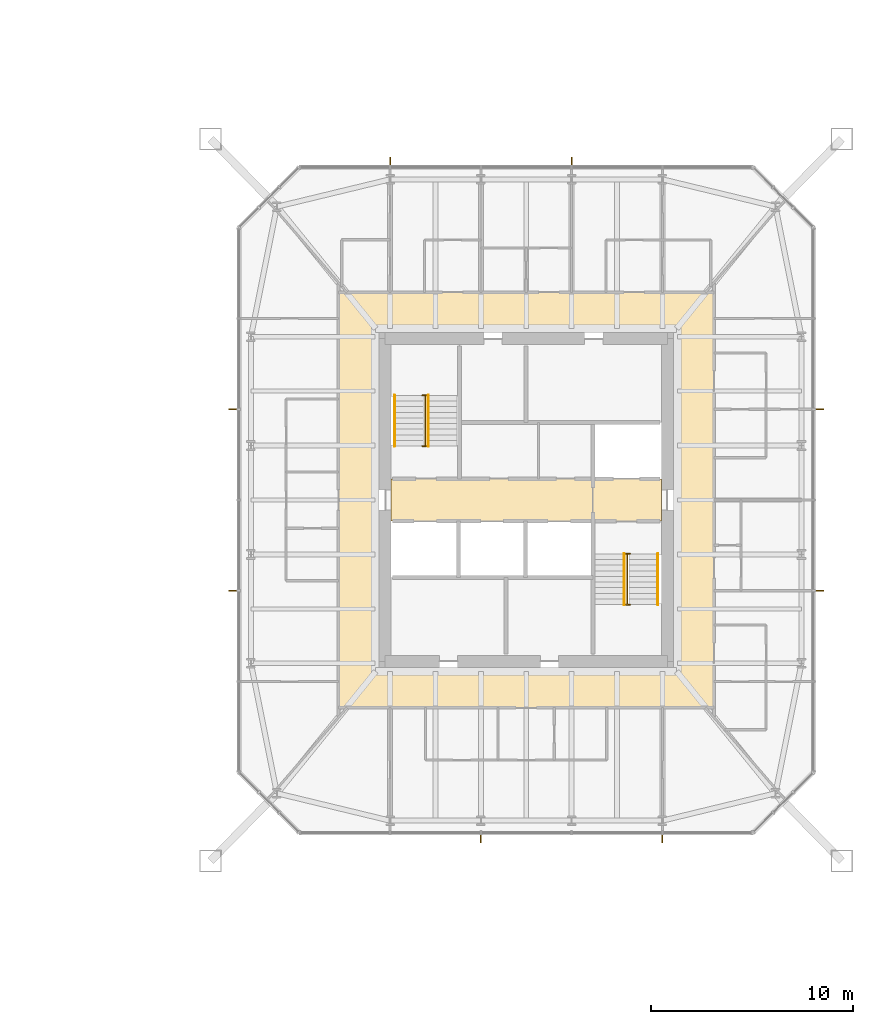
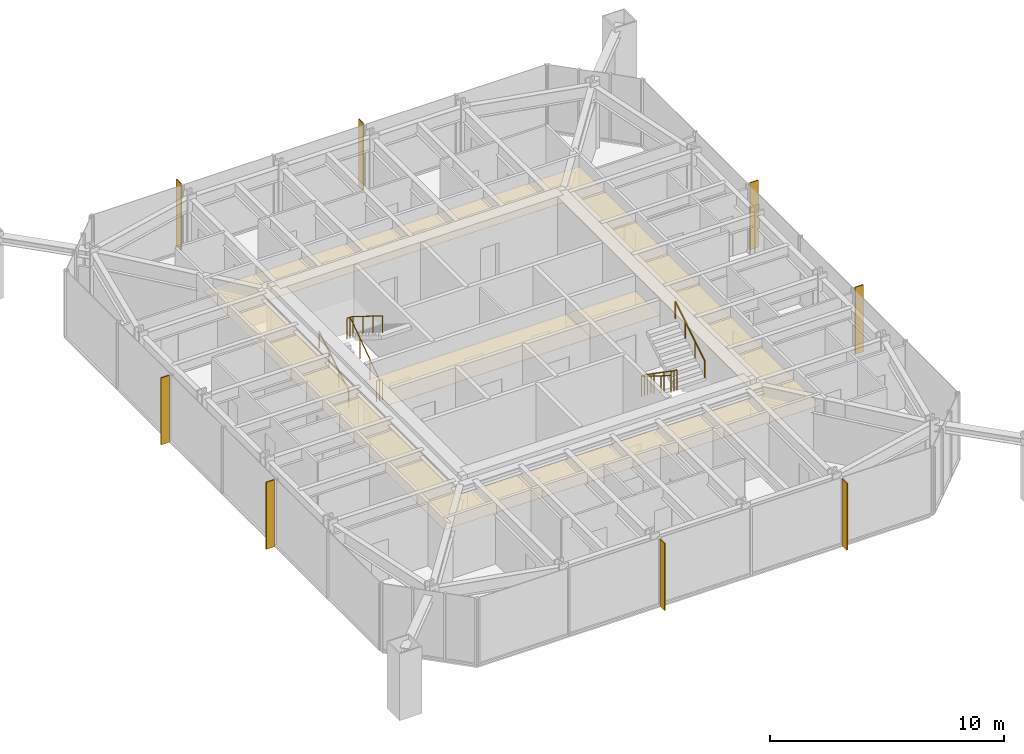
# One storey, part 27 of 27: 8 shading devices, 6 railings, 3 coverings.
"""IFC4 building model written with IfcOpenShell, lengths in metres."""

from ifc_helpers import new_model, si_unit, direction, frame, origin, origin_2d, place, context, subcontext, project, spatial, polyline, rectangle, circle, outline, extrude, material, layer, layer_set, constituent, constituent_set, type_object, element, save


model = new_model("IFC4")

# Units and contexts
model_context = context("Model", 3, precision=1e-05, world=origin(), true_north=direction((0.0, 1.0)))
body_context = subcontext(model_context, "Body", "Model", "MODEL_VIEW")
ifc_project = project(units=[si_unit("LENGTHUNIT", "METRE"), si_unit("AREAUNIT", "SQUARE_METRE"), si_unit("VOLUMEUNIT", "CUBIC_METRE"), si_unit("PLANEANGLEUNIT", "RADIAN"), si_unit("MASSUNIT", "GRAM", prefix="KILO")], contexts=[model_context])

# Site, building, storey
site_placement = place(None, origin())
site = spatial("IfcSite", under=ifc_project, at=site_placement, CompositionType="ELEMENT")
building_placement = place(site_placement, origin())
building = spatial("IfcBuilding", under=site, at=building_placement, Name="Iwan Alto Co-Living Towers", CompositionType="ELEMENT")
storey_placement = place(building_placement, frame((0.0, 0.0, 91.0)))
storey = spatial("IfcBuildingStorey", under=building, at=storey_placement, Name="L24", CompositionType="ELEMENT", Elevation=91.0)

# Coverings
ifc_material_1 = material(Name="Mineral fibre acoustic tiles on steel grid", Category="steel")
ifc_layer_1 = layer(ifc_material_1, 0.02001953125)
ifc_layer_set_1 = layer_set([ifc_layer_1], Name="ACOUSTIC TILE CEILING 20")
covering_type_1 = type_object("IfcCoveringType", Name="ACOUSTIC TILE CEILING 20", PredefinedType="CEILING", material=ifc_layer_set_1)
covering_1_placement = place(storey_placement, frame((0.0, 0.0, 2.60009765625)))
element("IfcCovering", 1, at=covering_1_placement, inside=storey, type_object=covering_type_1, Name="Ceiling Lift lobby L24", PredefinedType="CEILING", context=body_context, shape_type="SweptSolid", body=[
    extrude(outline(polyline([(56.300048828125, -1.050048828125), (56.300048828125, 1.050048828125), (66.300048828125, 1.050048828125), (66.300048828125, -1.050048828125), (56.300048828125, -1.050048828125)])), origin(), (0.0, 0.0, 1.0), 0.02001953125),
])
covering_2_placement = place(storey_placement, frame((0.0, 0.0, 2.60009765625)))
element("IfcCovering", 2, at=covering_2_placement, inside=storey, type_object=covering_type_1, Name="Ceiling Firefighting lobby L24", PredefinedType="CEILING", context=body_context, shape_type="SweptSolid", body=[
    extrude(outline(polyline([(66.300048828125, -1.050048828125), (66.300048828125, 1.050048828125), (69.699951171875, 1.050048828125), (69.699951171875, -1.050048828125), (66.300048828125, -1.050048828125)])), origin(), (0.0, 0.0, 1.0), 0.02001953125),
])

# Shading devices
ifc_material_2 = material(Name="Aluminium 6063-T6 bronze anodised", Category="aluminium")
ifc_layer_2 = layer(ifc_material_2, 0.050048828125)
ifc_layer_set_2 = layer_set([ifc_layer_2], Name="BRONZE FIN 50X400")
shading_device_type = type_object("IfcShadingDeviceType", Name="BRONZE FIN 50X400", PredefinedType="USERDEFINED", material=ifc_layer_set_2)
for number, where, z_axis, x_axis, name in (
    (3, (60.75, -16.800048828125, 0.0), (0.0, 0.0, 1.0), (1.0, 0.0, 0.0), "Bronze fin L24"),
    (4, (69.75, -16.800048828125, 0.0), (0.0, 0.0, 1.0), (1.0, 0.0, 0.0), "Bronze fin L24"),
    (5, (77.550048828125, -4.5, 0.0), (0.0, 0.0, 1.0), (0.0, 1.0, 0.0), "Bronze fin L24"),
    (6, (77.550048828125, 4.5, 0.0), (0.0, 0.0, 1.0), (0.0, 1.0, 0.0), "Bronze fin L24"),
    (7, (65.25, 16.800048828125, 0.0), (0.0, 0.0, 1.0), (-1.0, 0.0, 0.0), "Bronze fin L24"),
    (8, (56.25, 16.800048828125, 0.0), (0.0, 0.0, 1.0), (-1.0, 0.0, 0.0), "Bronze fin L24"),
    (9, (48.449951171875, 4.5, 0.0), (0.0, 0.0, 1.0), (0.0, -1.0, 0.0), "Bronze fin L24"),
    (10, (48.449951171875, -4.5, 0.0), (0.0, 0.0, 1.0), (0.0, -1.0, 0.0), "Bronze fin L24"),
):
    element("IfcShadingDevice", number, at=place(storey_placement, frame(where, z_axis=z_axis, x_axis=x_axis)), inside=storey, type_object=shading_device_type, Name=name, ObjectType="LOUVER", PredefinedType="USERDEFINED", context=body_context, shape_type="SweptSolid", body=[
        extrude(rectangle(XDim=0.050048828125, YDim=0.39990234375, at=origin_2d()), origin(), (0.0, 0.0, 1.0), 3.5),
    ])

# Railings
ifc_material_3 = material(Name="Steel ASTM A500 Gr C", Category="steel")
ifc_constituent_1 = constituent(ifc_material_3, Name="Rails and posts", Category="Framing")
ifc_material_4 = material(Name="Steel ASTM A36", Category="steel")
ifc_constituent_2 = constituent(ifc_material_4, Name="Bar infill", Category="Infill")
ifc_constituent_set = constituent_set(constituents=[ifc_constituent_1, ifc_constituent_2], Name="STAIR GUARD 1100")
railing_type_1 = type_object("IfcRailingType", Name="STAIR GUARD 1100", PredefinedType="GUARDRAIL", material=ifc_constituent_set)
railing_1_placement = place(storey_placement, frame((58.0, 2.669921875, 0.0)))
element("IfcRailing", 11, at=railing_1_placement, inside=storey, type_object=railing_type_1, Name="Stair T2-S1 well guard L24", PredefinedType="GUARDRAIL", context=body_context, shape_type="SweptSolid", body=[
    extrude(circle(Radius=0.02392578125, at=origin_2d()), frame((0.0, 0.0, 1.076171875), z_axis=(0.0, 0.821372036852, 0.570392826987), x_axis=(-1.0, 0.0, 0.0)), (0.0, 0.0, 1.0), 3.068115234375),
    extrude(circle(Radius=0.02392578125, at=origin_2d()), frame((-0.14990234375, 0.0, 1.076171875), z_axis=(1.0, 0.0, 0.0), x_axis=(0.0, 1.0, 0.0)), (0.0, 0.0, 1.0), 0.2998046875),
    extrude(circle(Radius=0.02392578125, at=origin_2d()), frame((-0.14990234375, 2.52001953125, 2.826171875), z_axis=(1.0, 0.0, 0.0), x_axis=(0.0, 1.0, 0.0)), (0.0, 0.0, 1.0), 0.2998046875),
    extrude(circle(Radius=0.02099609375, at=origin_2d()), origin(), (0.0, 0.0, 1.0), 1.052001953125),
    extrude(circle(Radius=0.02099609375, at=origin_2d()), frame((0.0, 0.840087890625, 0.583251953125)), (0.0, 0.0, 1.0), 1.052001953125),
    extrude(circle(Radius=0.02099609375, at=origin_2d()), frame((0.0, 1.679931640625, 1.166748046875)), (0.0, 0.0, 1.0), 1.052001953125),
    extrude(circle(Radius=0.02099609375, at=origin_2d()), frame((0.0, 2.52001953125, 1.75)), (0.0, 0.0, 1.0), 1.052001953125),
    extrude(circle(Radius=0.02099609375, at=origin_2d()), frame((-0.14990234375, 0.0, 0.0)), (0.0, 0.0, 1.0), 1.052001953125),
    extrude(circle(Radius=0.02099609375, at=origin_2d()), frame((0.14990234375, 0.0, 0.0)), (0.0, 0.0, 1.0), 1.052001953125),
    extrude(circle(Radius=0.02099609375, at=origin_2d()), frame((-0.14990234375, 2.52001953125, 1.75)), (0.0, 0.0, 1.0), 1.052001953125),
    extrude(circle(Radius=0.02099609375, at=origin_2d()), frame((0.14990234375, 2.52001953125, 1.75)), (0.0, 0.0, 1.0), 1.052001953125),
])
railing_2_placement = place(storey_placement, frame((68.0, -2.669921875, 0.0)))
element("IfcRailing", 12, at=railing_2_placement, inside=storey, type_object=railing_type_1, Name="Stair T2-S2 well guard L24", PredefinedType="GUARDRAIL", context=body_context, shape_type="SweptSolid", body=[
    extrude(circle(Radius=0.02392578125, at=origin_2d()), frame((0.0, 0.0, 1.076171875), z_axis=(0.0, -0.821372036852, 0.570392826987), x_axis=(1.0, 0.0, 0.0)), (0.0, 0.0, 1.0), 3.068115234375),
    extrude(circle(Radius=0.02392578125, at=origin_2d()), frame((-0.14990234375, 0.0, 1.076171875), z_axis=(1.0, 0.0, 0.0), x_axis=(0.0, 1.0, 0.0)), (0.0, 0.0, 1.0), 0.2998046875),
    extrude(circle(Radius=0.02392578125, at=origin_2d()), frame((-0.14990234375, -2.52001953125, 2.826171875), z_axis=(1.0, 0.0, 0.0), x_axis=(0.0, 1.0, 0.0)), (0.0, 0.0, 1.0), 0.2998046875),
    extrude(circle(Radius=0.02099609375, at=origin_2d()), origin(), (0.0, 0.0, 1.0), 1.052001953125),
    extrude(circle(Radius=0.02099609375, at=origin_2d()), frame((0.0, -0.840087890625, 0.583251953125)), (0.0, 0.0, 1.0), 1.052001953125),
    extrude(circle(Radius=0.02099609375, at=origin_2d()), frame((0.0, -1.679931640625, 1.166748046875)), (0.0, 0.0, 1.0), 1.052001953125),
    extrude(circle(Radius=0.02099609375, at=origin_2d()), frame((0.0, -2.52001953125, 1.75)), (0.0, 0.0, 1.0), 1.052001953125),
    extrude(circle(Radius=0.02099609375, at=origin_2d()), frame((-0.14990234375, 0.0, 0.0)), (0.0, 0.0, 1.0), 1.052001953125),
    extrude(circle(Radius=0.02099609375, at=origin_2d()), frame((0.14990234375, 0.0, 0.0)), (0.0, 0.0, 1.0), 1.052001953125),
    extrude(circle(Radius=0.02099609375, at=origin_2d()), frame((-0.14990234375, -2.52001953125, 1.75)), (0.0, 0.0, 1.0), 1.052001953125),
    extrude(circle(Radius=0.02099609375, at=origin_2d()), frame((0.14990234375, -2.52001953125, 1.75)), (0.0, 0.0, 1.0), 1.052001953125),
])
ifc_material_5 = material(Name="Steel ASTM A500 Gr C", Category="steel")
railing_type_2 = type_object("IfcRailingType", Name="STAIR HANDRAIL 900", PredefinedType="HANDRAIL", material=ifc_material_5)
railing_3_placement = place(storey_placement, frame((56.469970703125, 2.669921875, 0.175048828125)))
element("IfcRailing", 13, at=railing_3_placement, inside=storey, type_object=railing_type_2, Name="Stair T2-S1 handrail 1 L24", PredefinedType="HANDRAIL", context=body_context, shape_type="SweptSolid", body=[
    extrude(circle(Radius=0.02392578125, at=origin_2d()), frame((0.0, 0.0, 0.8759765625), z_axis=(0.0, 0.848007534815, 0.529984170421), x_axis=(-1.0, 0.0, 0.0)), (0.0, 0.0, 1.0), 2.9716796875),
    extrude(circle(Radius=0.02099609375, at=origin_2d()), origin(), (0.0, 0.0, 1.0), 0.851806640625),
    extrude(circle(Radius=0.02099609375, at=origin_2d()), frame((0.0, 0.840087890625, 0.52490234375)), (0.0, 0.0, 1.0), 0.851806640625),
    extrude(circle(Radius=0.02099609375, at=origin_2d()), frame((0.0, 1.679931640625, 1.050048828125)), (0.0, 0.0, 1.0), 0.851806640625),
    extrude(circle(Radius=0.02099609375, at=origin_2d()), frame((0.0, 2.52001953125, 1.574951171875)), (0.0, 0.0, 1.0), 0.851806640625),
])
for number, where, name in (
    (14, (58.14990234375, 5.18994140625, 1.925048828125), "Stair T2-S1 handrail 2 L24"),
    (15, (67.85009765625, -2.669921875, 0.175048828125), "Stair T2-S2 handrail 1 L24"),
):
    element("IfcRailing", number, at=place(storey_placement, frame(where)), inside=storey, type_object=railing_type_2, Name=name, PredefinedType="HANDRAIL", context=body_context, shape_type="SweptSolid", body=[
        extrude(circle(Radius=0.02392578125, at=origin_2d()), frame((0.0, 0.0, 0.8759765625), z_axis=(0.0, -0.848007534815, 0.529984170421), x_axis=(1.0, 0.0, 0.0)), (0.0, 0.0, 1.0), 2.9716796875),
        extrude(circle(Radius=0.02099609375, at=origin_2d()), origin(), (0.0, 0.0, 1.0), 0.851806640625),
        extrude(circle(Radius=0.02099609375, at=origin_2d()), frame((0.0, -0.840087890625, 0.52490234375)), (0.0, 0.0, 1.0), 0.851806640625),
        extrude(circle(Radius=0.02099609375, at=origin_2d()), frame((0.0, -1.679931640625, 1.050048828125)), (0.0, 0.0, 1.0), 0.851806640625),
        extrude(circle(Radius=0.02099609375, at=origin_2d()), frame((0.0, -2.52001953125, 1.574951171875)), (0.0, 0.0, 1.0), 0.851806640625),
    ])
railing_4_placement = place(storey_placement, frame((69.530029296875, -5.18994140625, 1.925048828125)))
element("IfcRailing", 16, at=railing_4_placement, inside=storey, type_object=railing_type_2, Name="Stair T2-S2 handrail 2 L24", PredefinedType="HANDRAIL", context=body_context, shape_type="SweptSolid", body=[
    extrude(circle(Radius=0.02392578125, at=origin_2d()), frame((0.0, 0.0, 0.8759765625), z_axis=(0.0, 0.848007534815, 0.529984170421), x_axis=(-1.0, 0.0, 0.0)), (0.0, 0.0, 1.0), 2.9716796875),
    extrude(circle(Radius=0.02099609375, at=origin_2d()), origin(), (0.0, 0.0, 1.0), 0.851806640625),
    extrude(circle(Radius=0.02099609375, at=origin_2d()), frame((0.0, 0.840087890625, 0.52490234375)), (0.0, 0.0, 1.0), 0.851806640625),
    extrude(circle(Radius=0.02099609375, at=origin_2d()), frame((0.0, 1.679931640625, 1.050048828125)), (0.0, 0.0, 1.0), 0.851806640625),
    extrude(circle(Radius=0.02099609375, at=origin_2d()), frame((0.0, 2.52001953125, 1.574951171875)), (0.0, 0.0, 1.0), 0.851806640625),
])

# Covering
ifc_material_6 = material(Name="Gypsum plasterboard on steel grid", Category="steel")
ifc_layer_3 = layer(ifc_material_6, 0.014892578125)
ifc_layer_set_3 = layer_set([ifc_layer_3], Name="SUSPENDED PLASTERBOARD CEILING 15")
covering_type_2 = type_object("IfcCoveringType", Name="SUSPENDED PLASTERBOARD CEILING 15", PredefinedType="CEILING", material=ifc_layer_set_3)
covering_3_placement = place(storey_placement, frame((0.0, 0.0, 2.60009765625)))
element("IfcCovering", 17, at=covering_3_placement, inside=storey, type_object=covering_type_2, Name="Ceiling Corridor L24", PredefinedType="CEILING", context=body_context, shape_type="SweptSolid", body=[
    extrude(outline(polyline([(53.699951171875, 10.300048828125), (72.300048828125, 10.300048828125), (72.300048828125, -10.300048828125), (53.699951171875, -10.300048828125), (53.699951171875, 10.300048828125)]), holes=[polyline([(55.699951171875, 8.300048828125), (55.699951171875, -8.300048828125), (70.300048828125, -8.300048828125), (70.300048828125, 8.300048828125), (55.699951171875, 8.300048828125)])]), origin(), (0.0, 0.0, 1.0), 0.014892578125),
])

save(model, "model.ifc")
